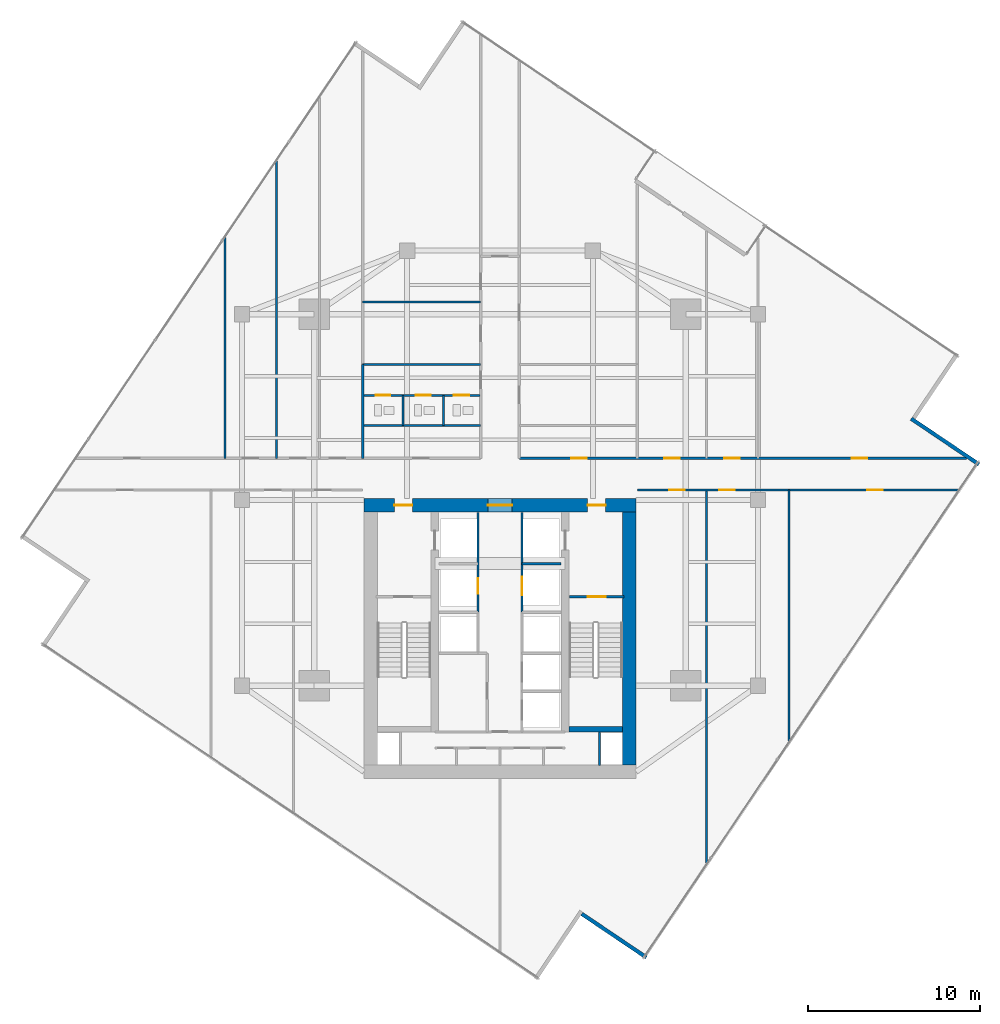
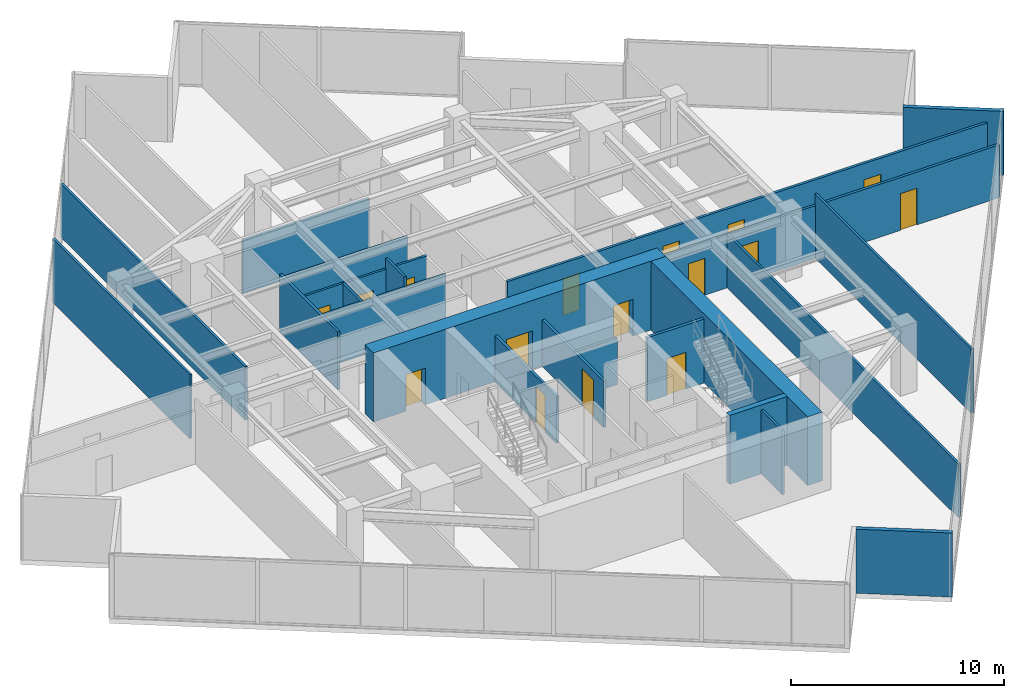
# One storey, part 24 of 27: 23 walls, 16 doors, 16 openings.
"""IFC4 building model written with IfcOpenShell, lengths in metres."""

from ifc_helpers import new_model, si_unit, direction, frame, frame_2d, origin, place, context, subcontext, project, spatial, rectangle, extrude, material, layer, layer_set, type_object, element, fill, save


model = new_model("IFC4")

# Units and contexts
model_context = context("Model", 3, precision=1e-05, world=origin(), true_north=direction((0.0, 1.0)))
body_context = subcontext(model_context, "Body", "Model", "MODEL_VIEW")
ifc_project = project(units=[si_unit("LENGTHUNIT", "METRE"), si_unit("AREAUNIT", "SQUARE_METRE"), si_unit("VOLUMEUNIT", "CUBIC_METRE"), si_unit("PLANEANGLEUNIT", "RADIAN"), si_unit("MASSUNIT", "GRAM", prefix="KILO")], contexts=[model_context])

# Site, building, storey
site_placement = place(None, origin())
site = spatial("IfcSite", under=ifc_project, at=site_placement, CompositionType="ELEMENT")
building_placement = place(site_placement, origin())
building = spatial("IfcBuilding", under=site, at=building_placement, Name="Krantzveldt Concourse Tower", CompositionType="ELEMENT")
storey_placement = place(building_placement, frame((0.0, 0.0, 185.699951171875)))
storey = spatial("IfcBuildingStorey", under=building, at=storey_placement, Name="L45", CompositionType="ELEMENT", Elevation=185.699951171875)

# Walls
ifc_material_1 = material(Name="Anodised aluminium 6063-T6", Category="aluminium")
ifc_layer_1 = layer(ifc_material_1, 0.219970703125, Name="Anodised aluminium 6063-T6", Category="aluminium")
ifc_layer_set_1 = layer_set([ifc_layer_1], Name="Anodised aluminium 6063-T6 (WL-EXT-NOTCH220)")
wall_type_1 = type_object("IfcWallType", Name="WL-EXT-NOTCH220", PredefinedType="ELEMENTEDWALL", material=ifc_layer_set_1)
wall_1_placement = place(storey_placement, frame((40.7568359375, 2.635986328125, 0.0), z_axis=(0.0, 0.0, 1.0), x_axis=(0.82905002528, -0.559174441104, 0.0)))
element("IfcWall", 1, at=wall_1_placement, inside=storey, type_object=wall_type_1, Name="EW-L45-NCH06", PredefinedType="ELEMENTEDWALL", context=body_context, shape_type="SweptSolid", body=[
    extrude(rectangle(XDim=4.52490234375, YDim=0.219970703125, at=frame_2d((2.262451171875, 0.0))), origin(), (0.0, 0.0, 1.0), 3.670166015625),
])
wall_2_placement = place(storey_placement, frame((63.844970703125, 28.773681640625, 0.0), z_axis=(0.0, 0.0, 1.0), x_axis=(-0.829006114382, 0.559239539301, 0.0)))
element("IfcWall", 2, at=wall_2_placement, inside=storey, type_object=wall_type_1, Name="EW-L45-NCH08", PredefinedType="ELEMENTEDWALL", context=body_context, shape_type="SweptSolid", body=[
    extrude(rectangle(XDim=4.744873046875, YDim=0.219970703125, at=frame_2d((2.37255859375, 0.0))), origin(), (0.0, 0.0, 1.0), 3.670166015625),
])
ifc_material_2 = material(Name="Fire-rated gypsum plasterboard on steel stud", Category="steel")
ifc_layer_2 = layer(ifc_material_2, 0.1201171875, Name="Fire-rated gypsum plasterboard on steel stud", Category="steel")
ifc_layer_set_2 = layer_set([ifc_layer_2], Name="Fire-rated gypsum plasterboard on steel stud (WL-PART-120)")
wall_type_2 = type_object("IfcWallType", Name="WL-PART-120", PredefinedType="PARTITIONING", material=ifc_layer_set_2)
wall_3_placement = place(storey_placement, frame((28.02001953125, 31.02001953125, 0.0), z_axis=(0.0, 0.0, 1.0), x_axis=(1.0, 0.0, 0.0)))
element("IfcWall", 3, at=wall_3_placement, inside=storey, type_object=wall_type_2, Name="WP-L45-ISML", PredefinedType="PARTITIONING", context=body_context, shape_type="SweptSolid", body=[
    extrude(rectangle(XDim=6.85986328125, YDim=0.1201171875, at=frame_2d((3.429931640625, 0.0))), origin(), (0.0, 0.0, 1.0), 3.080078125),
])

# Wall, openings, doors
wall_4_placement = place(storey_placement, frame((28.050048828125, 32.780029296875, 0.0), z_axis=(0.0, 0.0, 1.0), x_axis=(1.0, 0.0, 0.0)))
wall_4 = element("IfcWall", 4, at=wall_4_placement, inside=storey, type_object=wall_type_2, Name="WP-L45-WCHDR", PredefinedType="PARTITIONING", context=body_context, shape_type="SweptSolid", body=[
    extrude(rectangle(XDim=6.800048828125, YDim=0.1201171875, at=frame_2d((3.39990234375, 0.0))), origin(), (0.0, 0.0, 1.0), 3.080078125),
])
opening_1_placement = place(wall_4_placement, frame((0.72509765625, 0.0, 0.0)))
opening_1 = element("IfcOpeningElement", 5, at=opening_1_placement, cuts=wall_4, Name="Opening D-IN085", PredefinedType="OPENING", context=body_context, shape_type="SweptSolid", body=[
    extrude(rectangle(XDim=0.85009765625, YDim=2.10009765625, at=frame_2d((0.425048828125, 1.050048828125))), frame((0.0, 0.070068359375, 0.0), z_axis=(0.0, -1.0, 0.0), x_axis=(1.0, 0.0, 0.0)), (0.0, 0.0, 1.0), 0.14013671875),
])
opening_2_placement = place(wall_4_placement, frame((3.06494140625, 0.0, 0.0)))
opening_2 = element("IfcOpeningElement", 6, at=opening_2_placement, cuts=wall_4, Name="Opening D-IN085", PredefinedType="OPENING", context=body_context, shape_type="SweptSolid", body=[
    extrude(rectangle(XDim=0.85009765625, YDim=2.10009765625, at=frame_2d((0.425048828125, 1.050048828125))), frame((0.0, 0.070068359375, 0.0), z_axis=(0.0, -1.0, 0.0), x_axis=(1.0, 0.0, 0.0)), (0.0, 0.0, 1.0), 0.14013671875),
])
opening_3_placement = place(wall_4_placement, frame((5.25, 0.0, 0.0)))
opening_3 = element("IfcOpeningElement", 7, at=opening_3_placement, cuts=wall_4, Name="Opening D-IN090", PredefinedType="OPENING", context=body_context, shape_type="SweptSolid", body=[
    extrude(rectangle(XDim=0.89990234375, YDim=2.10009765625, at=frame_2d((0.449951171875, 1.050048828125))), frame((0.0, 0.070068359375, 0.0), z_axis=(0.0, -1.0, 0.0), x_axis=(1.0, 0.0, 0.0)), (0.0, 0.0, 1.0), 0.14013671875),
])
ifc_material_3 = material(Name="Hardwood timber", Category="wood")
door_type_1 = type_object("IfcDoorType", Name="DR-INT-850", OperationType="SINGLE_SWING_LEFT", PredefinedType="DOOR", material=ifc_material_3)
door_1_placement = place(opening_1_placement, origin())
door_1 = element("IfcDoor", 8, at=door_1_placement, inside=storey, type_object=door_type_1, Name="DR-L45-WCM", OperationType="SINGLE_SWING_LEFT", OverallHeight=2.10009765625, OverallWidth=0.85009765625, PredefinedType="DOOR", context=body_context, shape_type="SweptSolid", body=[
    extrude(rectangle(XDim=0.85009765625, YDim=2.10009765625, at=frame_2d((0.425048828125, 1.050048828125))), frame((0.0, 0.02490234375, 0.0), z_axis=(0.0, -1.0, 0.0), x_axis=(1.0, 0.0, 0.0)), (0.0, 0.0, 1.0), 0.050048828125),
])
fill(opening_1, door_1)
door_2_placement = place(opening_2_placement, origin())
door_2 = element("IfcDoor", 9, at=door_2_placement, inside=storey, type_object=door_type_1, Name="DR-L45-WCF", OperationType="SINGLE_SWING_RIGHT", OverallHeight=2.10009765625, OverallWidth=0.85009765625, PredefinedType="DOOR", context=body_context, shape_type="SweptSolid", body=[
    extrude(rectangle(XDim=0.85009765625, YDim=2.10009765625, at=frame_2d((0.425048828125, 1.050048828125))), frame((0.0, 0.02490234375, 0.0), z_axis=(0.0, -1.0, 0.0), x_axis=(1.0, 0.0, 0.0)), (0.0, 0.0, 1.0), 0.050048828125),
])
fill(opening_2, door_2)
door_type_2 = type_object("IfcDoorType", Name="DR-INT-900", OperationType="SINGLE_SWING_LEFT", PredefinedType="DOOR", material=ifc_material_3)
door_3_placement = place(opening_3_placement, origin())
door_3 = element("IfcDoor", 10, at=door_3_placement, inside=storey, type_object=door_type_2, Name="DR-L45-WCA", OperationType="SINGLE_SWING_LEFT", OverallHeight=2.10009765625, OverallWidth=0.89990234375, PredefinedType="DOOR", context=body_context, shape_type="SweptSolid", body=[
    extrude(rectangle(XDim=0.89990234375, YDim=2.10009765625, at=frame_2d((0.449951171875, 1.050048828125))), frame((0.0, 0.02490234375, 0.0), z_axis=(0.0, -1.0, 0.0), x_axis=(1.0, 0.0, 0.0)), (0.0, 0.0, 1.0), 0.050048828125),
])
fill(opening_3, door_3)

# Walls
wall_5_placement = place(storey_placement, frame((30.3701171875, 31.02001953125, 0.0), z_axis=(0.0, 0.0, 1.0), x_axis=(0.0, 1.0, 0.0)))
element("IfcWall", 11, at=wall_5_placement, inside=storey, type_object=wall_type_2, Name="WP-L45-WCD1", PredefinedType="PARTITIONING", context=body_context, shape_type="SweptSolid", body=[
    extrude(rectangle(XDim=1.760009765625, YDim=0.1201171875, at=frame_2d((0.8798828125, 0.0))), origin(), (0.0, 0.0, 1.0), 3.080078125),
])
wall_6_placement = place(storey_placement, frame((32.7099609375, 31.02001953125, 0.0), z_axis=(0.0, 0.0, 1.0), x_axis=(0.0, 1.0, 0.0)))
element("IfcWall", 12, at=wall_6_placement, inside=storey, type_object=wall_type_2, Name="WP-L45-WCD2", PredefinedType="PARTITIONING", context=body_context, shape_type="SweptSolid", body=[
    extrude(rectangle(XDim=1.760009765625, YDim=0.1201171875, at=frame_2d((0.8798828125, 0.0))), origin(), (0.0, 0.0, 1.0), 3.670166015625),
])
wall_7_placement = place(storey_placement, frame((20.0, 29.1201171875, 0.0), z_axis=(0.0, 0.0, 1.0), x_axis=(0.0, 1.0, 0.0)))
element("IfcWall", 13, at=wall_7_placement, inside=storey, type_object=wall_type_2, Name="WP-L45-NWX1", PredefinedType="PARTITIONING", context=body_context, shape_type="SweptSolid", body=[
    extrude(rectangle(XDim=12.861572265625, YDim=0.1201171875, at=frame_2d((6.4306640625, 0.0))), origin(), (0.0, 0.0, 1.0), 3.670166015625),
])
wall_8_placement = place(storey_placement, frame((23.0, 29.1201171875, 0.0), z_axis=(0.0, 0.0, 1.0), x_axis=(0.0, 1.0, 0.0)))
element("IfcWall", 14, at=wall_8_placement, inside=storey, type_object=wall_type_2, Name="WP-L45-NWX2", PredefinedType="PARTITIONING", context=body_context, shape_type="SweptSolid", body=[
    extrude(rectangle(XDim=17.309326171875, YDim=0.1201171875, at=frame_2d((8.65478515625, 0.0))), origin(), (0.0, 0.0, 1.0), 3.080078125),
])
wall_9_placement = place(storey_placement, frame((28.02001953125, 38.199951171875, 0.0), z_axis=(0.0, 0.0, 1.0), x_axis=(1.0, 0.0, 0.0)))
element("IfcWall", 15, at=wall_9_placement, inside=storey, type_object=wall_type_2, Name="WP-L45-NWIY", PredefinedType="PARTITIONING", context=body_context, shape_type="SweptSolid", body=[
    extrude(rectangle(XDim=6.85986328125, YDim=0.1201171875, at=frame_2d((3.429931640625, 0.0))), origin(), (0.0, 0.0, 1.0), 3.080078125),
])
wall_10_placement = place(storey_placement, frame((48.0, 5.488037109375, 0.0), z_axis=(0.0, 0.0, 1.0), x_axis=(0.0, 1.0, 0.0)))
element("IfcWall", 16, at=wall_10_placement, inside=storey, type_object=wall_type_2, Name="WP-L45-SEX1", PredefinedType="PARTITIONING", context=body_context, shape_type="SweptSolid", body=[
    extrude(rectangle(XDim=21.7919921875, YDim=0.1201171875, at=frame_2d((10.89599609375, 0.0))), origin(), (0.0, 0.0, 1.0), 3.080078125),
])
wall_11_placement = place(storey_placement, frame((52.800048828125, 12.6044921875, 0.0), z_axis=(0.0, 0.0, 1.0), x_axis=(0.0, 1.0, 0.0)))
element("IfcWall", 17, at=wall_11_placement, inside=storey, type_object=wall_type_2, Name="WP-L45-SEX2", PredefinedType="PARTITIONING", context=body_context, shape_type="SweptSolid", body=[
    extrude(rectangle(XDim=14.675537109375, YDim=0.1201171875, at=frame_2d((7.337890625, 0.0))), origin(), (0.0, 0.0, 1.0), 3.670166015625),
])

# Wall, openings, doors
ifc_layer_3 = layer(ifc_material_2, 0.139892578125, Name="Fire-rated gypsum plasterboard on steel stud", Category="steel")
ifc_layer_set_3 = layer_set([ifc_layer_3], Name="Fire-rated gypsum plasterboard on steel stud (WL-PART-140)")
wall_type_3 = type_object("IfcWallType", Name="WL-PART-140", PredefinedType="PARTITIONING", material=ifc_layer_set_3)
wall_12_placement = place(storey_placement, frame((37.1201171875, 29.1201171875, 0.0), z_axis=(0.0, 0.0, 1.0), x_axis=(1.0, 0.0, 0.0)))
wall_12 = element("IfcWall", 18, at=wall_12_placement, inside=storey, type_object=wall_type_3, Name="WP-L45-EWNR", PredefinedType="PARTITIONING", context=body_context, shape_type="SweptSolid", body=[
    extrude(rectangle(XDim=26.006103515625, YDim=0.139892578125, at=frame_2d((13.0029296875, 0.0))), origin(), (0.0, 0.0, 1.0), 3.030029296875),
])
opening_4_placement = place(wall_12_placement, frame((3.030029296875, 0.0, 0.0)))
opening_4 = element("IfcOpeningElement", 19, at=opening_4_placement, cuts=wall_12, Name="Opening D-IN090", PredefinedType="OPENING", context=body_context, shape_type="SweptSolid", body=[
    extrude(rectangle(XDim=0.89990234375, YDim=2.10009765625, at=frame_2d((0.449951171875, 1.050048828125))), frame((0.0, 0.080078125, 0.0), z_axis=(0.0, -1.0, 0.0), x_axis=(1.0, 0.0, 0.0)), (0.0, 0.0, 1.0), 0.159912109375),
])
opening_5_placement = place(wall_12_placement, frame((8.419921875, 0.0, 0.0)))
opening_5 = element("IfcOpeningElement", 20, at=opening_5_placement, cuts=wall_12, Name="Opening D-IN090", PredefinedType="OPENING", context=body_context, shape_type="SweptSolid", body=[
    extrude(rectangle(XDim=0.89990234375, YDim=2.10009765625, at=frame_2d((0.449951171875, 1.050048828125))), frame((0.0, 0.080078125, 0.0), z_axis=(0.0, -1.0, 0.0), x_axis=(1.0, 0.0, 0.0)), (0.0, 0.0, 1.0), 0.159912109375),
])
opening_6_placement = place(wall_12_placement, frame((11.929931640625, 0.0, 0.0)))
opening_6 = element("IfcOpeningElement", 21, at=opening_6_placement, cuts=wall_12, Name="Opening D-IN090", PredefinedType="OPENING", context=body_context, shape_type="SweptSolid", body=[
    extrude(rectangle(XDim=0.89990234375, YDim=2.10009765625, at=frame_2d((0.449951171875, 1.050048828125))), frame((0.0, 0.080078125, 0.0), z_axis=(0.0, -1.0, 0.0), x_axis=(1.0, 0.0, 0.0)), (0.0, 0.0, 1.0), 0.159912109375),
])
opening_7_placement = place(wall_12_placement, frame((19.320068359375, 0.0, 0.0)))
opening_7 = element("IfcOpeningElement", 22, at=opening_7_placement, cuts=wall_12, Name="Opening D-IN090", PredefinedType="OPENING", context=body_context, shape_type="SweptSolid", body=[
    extrude(rectangle(XDim=0.89990234375, YDim=2.10009765625, at=frame_2d((0.449951171875, 1.050048828125))), frame((0.0, 0.080078125, 0.0), z_axis=(0.0, -1.0, 0.0), x_axis=(1.0, 0.0, 0.0)), (0.0, 0.0, 1.0), 0.159912109375),
])
door_4_placement = place(opening_4_placement, origin())
door_4 = element("IfcDoor", 23, at=door_4_placement, inside=storey, type_object=door_type_2, Name="DR-L45-ALCR", OperationType="SINGLE_SWING_RIGHT", OverallHeight=2.10009765625, OverallWidth=0.89990234375, PredefinedType="DOOR", context=body_context, shape_type="SweptSolid", body=[
    extrude(rectangle(XDim=0.89990234375, YDim=2.10009765625, at=frame_2d((0.449951171875, 1.050048828125))), frame((0.0, 0.02490234375, 0.0), z_axis=(0.0, -1.0, 0.0), x_axis=(1.0, 0.0, 0.0)), (0.0, 0.0, 1.0), 0.050048828125),
])
fill(opening_4, door_4)
door_5_placement = place(opening_5_placement, origin())
door_5 = element("IfcDoor", 24, at=door_5_placement, inside=storey, type_object=door_type_2, Name="DR-L45-NEX1", OperationType="SINGLE_SWING_RIGHT", OverallHeight=2.10009765625, OverallWidth=0.89990234375, PredefinedType="DOOR", context=body_context, shape_type="SweptSolid", body=[
    extrude(rectangle(XDim=0.89990234375, YDim=2.10009765625, at=frame_2d((0.449951171875, 1.050048828125))), frame((0.0, 0.02490234375, 0.0), z_axis=(0.0, -1.0, 0.0), x_axis=(1.0, 0.0, 0.0)), (0.0, 0.0, 1.0), 0.050048828125),
])
fill(opening_5, door_5)
door_6_placement = place(opening_6_placement, origin())
door_6 = element("IfcDoor", 25, at=door_6_placement, inside=storey, type_object=door_type_2, Name="DR-L45-NEX2", OperationType="SINGLE_SWING_RIGHT", OverallHeight=2.10009765625, OverallWidth=0.89990234375, PredefinedType="DOOR", context=body_context, shape_type="SweptSolid", body=[
    extrude(rectangle(XDim=0.89990234375, YDim=2.10009765625, at=frame_2d((0.449951171875, 1.050048828125))), frame((0.0, 0.02490234375, 0.0), z_axis=(0.0, -1.0, 0.0), x_axis=(1.0, 0.0, 0.0)), (0.0, 0.0, 1.0), 0.050048828125),
])
fill(opening_6, door_6)
door_7_placement = place(opening_7_placement, origin())
door_7 = element("IfcDoor", 26, at=door_7_placement, inside=storey, type_object=door_type_2, Name="DR-L45-NEX3", OperationType="SINGLE_SWING_RIGHT", OverallHeight=2.10009765625, OverallWidth=0.89990234375, PredefinedType="DOOR", context=body_context, shape_type="SweptSolid", body=[
    extrude(rectangle(XDim=0.89990234375, YDim=2.10009765625, at=frame_2d((0.449951171875, 1.050048828125))), frame((0.0, 0.02490234375, 0.0), z_axis=(0.0, -1.0, 0.0), x_axis=(1.0, 0.0, 0.0)), (0.0, 0.0, 1.0), 0.050048828125),
])
fill(opening_7, door_7)

wall_13_placement = place(storey_placement, frame((44.0, 27.280029296875, 0.0), z_axis=(0.0, 0.0, 1.0), x_axis=(1.0, 0.0, 0.0)))
wall_13 = element("IfcWall", 27, at=wall_13_placement, inside=storey, type_object=wall_type_3, Name="WP-L45-EWSR", PredefinedType="PARTITIONING", context=body_context, shape_type="SweptSolid", body=[
    extrude(rectangle(XDim=18.69873046875, YDim=0.139892578125, at=frame_2d((9.349365234375, 0.0))), origin(), (0.0, 0.0, 1.0), 3.030029296875),
])
opening_8_placement = place(wall_13_placement, frame((1.85009765625, 0.0, 0.0)))
opening_8 = element("IfcOpeningElement", 28, at=opening_8_placement, cuts=wall_13, Name="Opening D-IN090", PredefinedType="OPENING", context=body_context, shape_type="SweptSolid", body=[
    extrude(rectangle(XDim=0.89990234375, YDim=2.10009765625, at=frame_2d((0.449951171875, 1.050048828125))), frame((0.0, 0.080078125, 0.0), z_axis=(0.0, -1.0, 0.0), x_axis=(1.0, 0.0, 0.0)), (0.0, 0.0, 1.0), 0.159912109375),
])
opening_9_placement = place(wall_13_placement, frame((4.75, 0.0, 0.0)))
opening_9 = element("IfcOpeningElement", 29, at=opening_9_placement, cuts=wall_13, Name="Opening D-IN090", PredefinedType="OPENING", context=body_context, shape_type="SweptSolid", body=[
    extrude(rectangle(XDim=0.89990234375, YDim=2.10009765625, at=frame_2d((0.449951171875, 1.050048828125))), frame((0.0, 0.080078125, 0.0), z_axis=(0.0, -1.0, 0.0), x_axis=(1.0, 0.0, 0.0)), (0.0, 0.0, 1.0), 0.159912109375),
])
opening_10_placement = place(wall_13_placement, frame((13.340087890625, 0.0, 0.0)))
opening_10 = element("IfcOpeningElement", 30, at=opening_10_placement, cuts=wall_13, Name="Opening D-IN090", PredefinedType="OPENING", context=body_context, shape_type="SweptSolid", body=[
    extrude(rectangle(XDim=0.89990234375, YDim=2.10009765625, at=frame_2d((0.449951171875, 1.050048828125))), frame((0.0, 0.080078125, 0.0), z_axis=(0.0, -1.0, 0.0), x_axis=(1.0, 0.0, 0.0)), (0.0, 0.0, 1.0), 0.159912109375),
])
door_8_placement = place(opening_8_placement, origin())
door_8 = element("IfcDoor", 31, at=door_8_placement, inside=storey, type_object=door_type_2, Name="DR-L45-SEX1", OperationType="SINGLE_SWING_RIGHT", OverallHeight=2.10009765625, OverallWidth=0.89990234375, PredefinedType="DOOR", context=body_context, shape_type="SweptSolid", body=[
    extrude(rectangle(XDim=0.89990234375, YDim=2.10009765625, at=frame_2d((0.449951171875, 1.050048828125))), frame((0.0, 0.02490234375, 0.0), z_axis=(0.0, -1.0, 0.0), x_axis=(1.0, 0.0, 0.0)), (0.0, 0.0, 1.0), 0.050048828125),
])
fill(opening_8, door_8)
door_9_placement = place(opening_9_placement, origin())
door_9 = element("IfcDoor", 32, at=door_9_placement, inside=storey, type_object=door_type_2, Name="DR-L45-SEX2", OperationType="SINGLE_SWING_RIGHT", OverallHeight=2.10009765625, OverallWidth=0.89990234375, PredefinedType="DOOR", context=body_context, shape_type="SweptSolid", body=[
    extrude(rectangle(XDim=0.89990234375, YDim=2.10009765625, at=frame_2d((0.449951171875, 1.050048828125))), frame((0.0, 0.02490234375, 0.0), z_axis=(0.0, -1.0, 0.0), x_axis=(1.0, 0.0, 0.0)), (0.0, 0.0, 1.0), 0.050048828125),
])
fill(opening_9, door_9)
door_10_placement = place(opening_10_placement, origin())
door_10 = element("IfcDoor", 33, at=door_10_placement, inside=storey, type_object=door_type_2, Name="DR-L45-SEX3", OperationType="SINGLE_SWING_RIGHT", OverallHeight=2.10009765625, OverallWidth=0.89990234375, PredefinedType="DOOR", context=body_context, shape_type="SweptSolid", body=[
    extrude(rectangle(XDim=0.89990234375, YDim=2.10009765625, at=frame_2d((0.449951171875, 1.050048828125))), frame((0.0, 0.02490234375, 0.0), z_axis=(0.0, -1.0, 0.0), x_axis=(1.0, 0.0, 0.0)), (0.0, 0.0, 1.0), 0.050048828125),
])
fill(opening_10, door_10)

# Walls
wall_14_placement = place(storey_placement, frame((28.02001953125, 34.580078125, 0.0), z_axis=(0.0, 0.0, 1.0), x_axis=(1.0, 0.0, 0.0)))
element("IfcWall", 34, at=wall_14_placement, inside=storey, type_object=wall_type_3, Name="WP-L45-ISNL", PredefinedType="PARTITIONING", context=body_context, shape_type="SweptSolid", body=[
    extrude(rectangle(XDim=6.85986328125, YDim=0.139892578125, at=frame_2d((3.429931640625, 0.0))), origin(), (0.0, 0.0, 1.0), 3.080078125),
])
wall_15_placement = place(storey_placement, frame((28.02001953125, 29.1201171875, 0.0), z_axis=(0.0, 0.0, 1.0), x_axis=(0.0, 1.0, 0.0)))
element("IfcWall", 35, at=wall_15_placement, inside=storey, type_object=wall_type_3, Name="WP-L45-ISWL", PredefinedType="PARTITIONING", context=body_context, shape_type="SweptSolid", body=[
    extrude(rectangle(XDim=5.4599609375, YDim=0.139892578125, at=frame_2d((2.72998046875, 0.0))), origin(), (0.0, 0.0, 1.0), 3.31005859375),
])

# Wall, opening, door
ifc_layer_4 = layer(ifc_material_2, 0.139892578125, Name="Fire-rated gypsum plasterboard on steel stud", Category="steel")
ifc_layer_set_4 = layer_set([ifc_layer_4], Name="Fire-rated gypsum plasterboard on steel stud (WL-PART-FR140)")
wall_type_4 = type_object("IfcWallType", Name="WL-PART-FR140", PredefinedType="PARTITIONING", material=ifc_layer_set_4)
wall_16_placement = place(storey_placement, frame((34.719970703125, 20.199951171875, 0.0), z_axis=(0.0, 0.0, 1.0), x_axis=(0.0, 1.0, 0.0)))
wall_16 = element("IfcWall", 36, at=wall_16_placement, inside=storey, type_object=wall_type_4, Name="WP-L45-SHNW", PredefinedType="PARTITIONING", context=body_context, shape_type="SweptSolid", body=[
    extrude(rectangle(XDim=5.780029296875, YDim=0.139892578125, at=frame_2d((2.89013671875, 0.0))), origin(), (0.0, 0.0, 1.0), 2.670166015625),
])
opening_11_placement = place(wall_16_placement, frame((1.050048828125, 0.0, 0.0)))
opening_11 = element("IfcOpeningElement", 37, at=opening_11_placement, cuts=wall_16, Name="Opening D-FD090", PredefinedType="OPENING", context=body_context, shape_type="SweptSolid", body=[
    extrude(rectangle(XDim=0.89990234375, YDim=2.10009765625, at=frame_2d((0.449951171875, 1.050048828125))), frame((0.0, 0.080078125, 0.0), z_axis=(0.0, -1.0, 0.0), x_axis=(1.0, 0.0, 0.0)), (0.0, 0.0, 1.0), 0.159912109375),
])
door_type_3 = type_object("IfcDoorType", Name="DR-FD60-900", OperationType="SINGLE_SWING_LEFT", PredefinedType="DOOR", material=ifc_material_3)
door_11_placement = place(opening_11_placement, origin())
door_11 = element("IfcDoor", 38, at=door_11_placement, inside=storey, type_object=door_type_3, Name="Electrical Riser Access Door L45", OperationType="SINGLE_SWING_LEFT", OverallHeight=2.10009765625, OverallWidth=0.89990234375, PredefinedType="DOOR", context=body_context, shape_type="SweptSolid", body=[
    extrude(rectangle(XDim=0.89990234375, YDim=2.10009765625, at=frame_2d((0.449951171875, 1.050048828125))), frame((0.0, 0.02490234375, 0.0), z_axis=(0.0, -1.0, 0.0), x_axis=(1.0, 0.0, 0.0)), (0.0, 0.0, 1.0), 0.050048828125),
])
fill(opening_11, door_11)

wall_17_placement = place(storey_placement, frame((37.280029296875, 20.199951171875, 0.0), z_axis=(0.0, 0.0, 1.0), x_axis=(0.0, 1.0, 0.0)))
wall_17 = element("IfcWall", 39, at=wall_17_placement, inside=storey, type_object=wall_type_4, Name="WP-L45-SHNE", PredefinedType="PARTITIONING", context=body_context, shape_type="SweptSolid", body=[
    extrude(rectangle(XDim=5.780029296875, YDim=0.139892578125, at=frame_2d((2.89013671875, 0.0))), origin(), (0.0, 0.0, 1.0), 2.670166015625),
])
opening_12_placement = place(wall_17_placement, frame((0.949951171875, 0.0, 0.0)))
opening_12 = element("IfcOpeningElement", 40, at=opening_12_placement, cuts=wall_17, Name="Opening LD", PredefinedType="OPENING", context=body_context, shape_type="SweptSolid", body=[
    extrude(rectangle(XDim=1.10009765625, YDim=2.14990234375, at=frame_2d((0.550048828125, 1.074951171875))), frame((0.0, 0.080078125, 0.0), z_axis=(0.0, -1.0, 0.0), x_axis=(1.0, 0.0, 0.0)), (0.0, 0.0, 1.0), 0.159912109375),
])
ifc_material_4 = material(Name="Stainless steel 316L", Category="steel")
door_type_4 = type_object("IfcDoorType", Name="DR-SLIDE-LD1100", OperationType="DOUBLE_DOOR_SLIDING", PredefinedType="DOOR", material=ifc_material_4)
door_12_placement = place(opening_12_placement, origin())
door_12 = element("IfcDoor", 41, at=door_12_placement, inside=storey, type_object=door_type_4, Name="LD-L45-GL1", OperationType="DOUBLE_DOOR_SLIDING", OverallHeight=2.14990234375, OverallWidth=1.10009765625, PredefinedType="DOOR", context=body_context, shape_type="SweptSolid", body=[
    extrude(rectangle(XDim=1.10009765625, YDim=2.14990234375, at=frame_2d((0.550048828125, 1.074951171875))), frame((0.0, 0.02490234375, 0.0), z_axis=(0.0, -1.0, 0.0), x_axis=(1.0, 0.0, 0.0)), (0.0, 0.0, 1.0), 0.050048828125),
])
fill(opening_12, door_12)

# Walls
wall_18_placement = place(storey_placement, frame((37.280029296875, 23.0, 0.0), z_axis=(0.0, 0.0, 1.0), x_axis=(1.0, 0.0, 0.0)))
element("IfcWall", 42, at=wall_18_placement, inside=storey, type_object=wall_type_4, Name="WP-L45-GLH", PredefinedType="PARTITIONING", context=body_context, shape_type="SweptSolid", body=[
    extrude(rectangle(XDim=2.27001953125, YDim=0.139892578125, at=frame_2d((1.135009765625, 0.0))), origin(), (0.0, 0.0, 1.0), 2.670166015625),
])
wall_19_placement = place(storey_placement, frame((41.780029296875, 11.25, 0.0), z_axis=(0.0, 0.0, 1.0), x_axis=(0.0, 1.0, 0.0)))
element("IfcWall", 43, at=wall_19_placement, inside=storey, type_object=wall_type_4, Name="WP-L45-RSE", PredefinedType="PARTITIONING", context=body_context, shape_type="SweptSolid", body=[
    extrude(rectangle(XDim=1.969970703125, YDim=0.1201171875, at=frame_2d((0.98486328125, 0.0))), origin(), (0.0, 0.0, 1.0), 3.670166015625),
])

# Wall, opening, door
ifc_layer_5 = layer(ifc_material_2, 0.159912109375, Name="Fire-rated gypsum plasterboard on steel stud", Category="steel")
ifc_layer_set_5 = layer_set([ifc_layer_5], Name="Fire-rated gypsum plasterboard on steel stud (WL-PART-FR160)")
wall_type_5 = type_object("IfcWallType", Name="WL-PART-FR160", PredefinedType="PARTITIONING", material=ifc_layer_set_5)
wall_20_placement = place(storey_placement, frame((40.0400390625, 21.080078125, 0.0), z_axis=(0.0, 0.0, 1.0), x_axis=(1.0, 0.0, 0.0)))
wall_20 = element("IfcWall", 44, at=wall_20_placement, inside=storey, type_object=wall_type_5, Name="WP-L45-ST2", PredefinedType="PARTITIONING", context=body_context, shape_type="SweptSolid", body=[
    extrude(rectangle(XDim=3.159912109375, YDim=0.159912109375, at=frame_2d((1.580078125, 0.0))), origin(), (0.0, 0.0, 1.0), 3.670166015625),
])
opening_13_placement = place(wall_20_placement, frame((1.054931640625, 0.0, 0.0)))
opening_13 = element("IfcOpeningElement", 45, at=opening_13_placement, cuts=wall_20, Name="Opening D-FD105", PredefinedType="OPENING", context=body_context, shape_type="SweptSolid", body=[
    extrude(rectangle(XDim=1.050048828125, YDim=2.10009765625, at=frame_2d((0.52490234375, 1.050048828125))), frame((0.0, 0.08984375, 0.0), z_axis=(0.0, -1.0, 0.0), x_axis=(1.0, 0.0, 0.0)), (0.0, 0.0, 1.0), 0.179931640625),
])
ifc_material_5 = material(Name="Galvanised steel", Category="steel")
door_type_5 = type_object("IfcDoorType", Name="DR-FD120-1050", OperationType="SINGLE_SWING_LEFT", PredefinedType="DOOR", material=ifc_material_5)
door_13_placement = place(opening_13_placement, origin())
door_13 = element("IfcDoor", 46, at=door_13_placement, inside=storey, type_object=door_type_5, Name="DR-L45-ST2", OperationType="SINGLE_SWING_LEFT", OverallHeight=2.10009765625, OverallWidth=1.050048828125, PredefinedType="DOOR", context=body_context, shape_type="SweptSolid", body=[
    extrude(rectangle(XDim=1.050048828125, YDim=2.10009765625, at=frame_2d((0.52490234375, 1.050048828125))), frame((0.0, 0.02490234375, 0.0), z_axis=(0.0, -1.0, 0.0), x_axis=(1.0, 0.0, 0.0)), (0.0, 0.0, 1.0), 0.050048828125),
])
fill(opening_13, door_13)

# Wall
ifc_material_6 = material(Name="Concrete C50/60", Category="concrete")
ifc_layer_6 = layer(ifc_material_6, 0.300048828125, Name="Concrete C50/60", Category="concrete")
ifc_layer_set_6 = layer_set([ifc_layer_6], Name="Concrete C50/60 (WL-SHEAR-300)")
wall_type_6 = type_object("IfcWallType", Name="WL-SHEAR-300", PredefinedType="SHEAR", material=ifc_layer_set_6)
wall_21_placement = place(storey_placement, frame((40.02001953125, 13.3701171875, 0.0), z_axis=(0.0, 0.0, 1.0), x_axis=(1.0, 0.0, 0.0)))
element("IfcWall", 47, at=wall_21_placement, inside=storey, type_object=wall_type_6, Name="CW-L45-ST2S", PredefinedType="SHEAR", context=body_context, shape_type="SweptSolid", body=[
    extrude(rectangle(XDim=3.10009765625, YDim=0.300048828125, at=frame_2d((1.550048828125, 0.0))), origin(), (0.0, 0.0, 1.0), 3.949951171875),
])

# Wall, openings, doors
ifc_material_7 = material(Name="Concrete C60/75", Category="concrete")
ifc_layer_7 = layer(ifc_material_7, 0.800048828125, Name="Concrete C60/75", Category="concrete")
ifc_layer_set_7 = layer_set([ifc_layer_7], Name="Concrete C60/75 (WL-SHEAR-800)")
wall_type_7 = type_object("IfcWallType", Name="WL-SHEAR-800", PredefinedType="SHEAR", material=ifc_layer_set_7)
wall_22_placement = place(storey_placement, frame((28.080078125, 26.39990234375, 0.0), z_axis=(0.0, 0.0, 1.0), x_axis=(1.0, 0.0, 0.0)))
wall_22 = element("IfcWall", 48, at=wall_22_placement, inside=storey, type_object=wall_type_7, Name="CW-L45-N", PredefinedType="SHEAR", context=body_context, shape_type="SweptSolid", body=[
    extrude(rectangle(XDim=15.83984375, YDim=0.800048828125, at=frame_2d((7.919921875, 0.0))), origin(), (0.0, 0.0, 1.0), 3.949951171875),
])
opening_14_placement = place(wall_22_placement, frame((7.219970703125, 0.0, 0.0)))
opening_14 = element("IfcOpeningElement", 49, at=opening_14_placement, cuts=wall_22, Name="Opening D-DB140", PredefinedType="OPENING", context=body_context, shape_type="SweptSolid", body=[
    extrude(rectangle(XDim=1.39990234375, YDim=2.199951171875, at=frame_2d((0.699951171875, 1.10009765625))), frame((0.0, 0.41015625, 0.0), z_axis=(0.0, -1.0, 0.0), x_axis=(1.0, 0.0, 0.0)), (0.0, 0.0, 1.0), 0.820068359375),
])
opening_15_placement = place(wall_22_placement, frame((1.77490234375, 0.0, 0.0)))
opening_15 = element("IfcOpeningElement", 50, at=opening_15_placement, cuts=wall_22, Name="Opening D-FD105", PredefinedType="OPENING", context=body_context, shape_type="SweptSolid", body=[
    extrude(rectangle(XDim=1.050048828125, YDim=2.10009765625, at=frame_2d((0.52490234375, 1.050048828125))), frame((0.0, 0.41015625, 0.0), z_axis=(0.0, -1.0, 0.0), x_axis=(1.0, 0.0, 0.0)), (0.0, 0.0, 1.0), 0.820068359375),
])
opening_16_placement = place(wall_22_placement, frame((13.014892578125, 0.0, 0.0)))
opening_16 = element("IfcOpeningElement", 51, at=opening_16_placement, cuts=wall_22, Name="Opening D-FD105", PredefinedType="OPENING", context=body_context, shape_type="SweptSolid", body=[
    extrude(rectangle(XDim=1.050048828125, YDim=2.10009765625, at=frame_2d((0.52490234375, 1.050048828125))), frame((0.0, 0.41015625, 0.0), z_axis=(0.0, -1.0, 0.0), x_axis=(1.0, 0.0, 0.0)), (0.0, 0.0, 1.0), 0.820068359375),
])
door_type_6 = type_object("IfcDoorType", Name="DR-DBL-1400", OperationType="DOUBLE_DOOR_SINGLE_SWING", PredefinedType="DOOR", material=ifc_material_1)
door_14_placement = place(opening_14_placement, origin())
door_14 = element("IfcDoor", 52, at=door_14_placement, inside=storey, type_object=door_type_6, Name="DR-L45-LLB", OperationType="DOUBLE_DOOR_SINGLE_SWING", OverallHeight=2.199951171875, OverallWidth=1.39990234375, PredefinedType="DOOR", context=body_context, shape_type="SweptSolid", body=[
    extrude(rectangle(XDim=1.39990234375, YDim=2.199951171875, at=frame_2d((0.699951171875, 1.10009765625))), frame((0.0, 0.02490234375, 0.0), z_axis=(0.0, -1.0, 0.0), x_axis=(1.0, 0.0, 0.0)), (0.0, 0.0, 1.0), 0.050048828125),
])
fill(opening_14, door_14)
door_15_placement = place(opening_15_placement, origin())
door_15 = element("IfcDoor", 53, at=door_15_placement, inside=storey, type_object=door_type_5, Name="DR-L45-FFL1", OperationType="SINGLE_SWING_LEFT", OverallHeight=2.10009765625, OverallWidth=1.050048828125, PredefinedType="DOOR", context=body_context, shape_type="SweptSolid", body=[
    extrude(rectangle(XDim=1.050048828125, YDim=2.10009765625, at=frame_2d((0.52490234375, 1.050048828125))), frame((0.0, 0.02490234375, 0.0), z_axis=(0.0, -1.0, 0.0), x_axis=(1.0, 0.0, 0.0)), (0.0, 0.0, 1.0), 0.050048828125),
])
fill(opening_15, door_15)
door_16_placement = place(opening_16_placement, origin())
door_16 = element("IfcDoor", 54, at=door_16_placement, inside=storey, type_object=door_type_5, Name="DR-L45-FFL2", OperationType="SINGLE_SWING_RIGHT", OverallHeight=2.10009765625, OverallWidth=1.050048828125, PredefinedType="DOOR", context=body_context, shape_type="SweptSolid", body=[
    extrude(rectangle(XDim=1.050048828125, YDim=2.10009765625, at=frame_2d((0.52490234375, 1.050048828125))), frame((0.0, 0.02490234375, 0.0), z_axis=(0.0, -1.0, 0.0), x_axis=(1.0, 0.0, 0.0)), (0.0, 0.0, 1.0), 0.050048828125),
])
fill(opening_16, door_16)

# Wall
wall_23_placement = place(storey_placement, frame((43.52001953125, 11.300048828125, 0.0), z_axis=(0.0, 0.0, 1.0), x_axis=(0.0, 1.0, 0.0)))
element("IfcWall", 55, at=wall_23_placement, inside=storey, type_object=wall_type_7, Name="CW-L45-E", PredefinedType="SHEAR", context=body_context, shape_type="SweptSolid", body=[
    extrude(rectangle(XDim=14.699951171875, YDim=0.800048828125, at=frame_2d((7.35009765625, 0.0))), origin(), (0.0, 0.0, 1.0), 3.949951171875),
])

save(model, "model.ifc")
